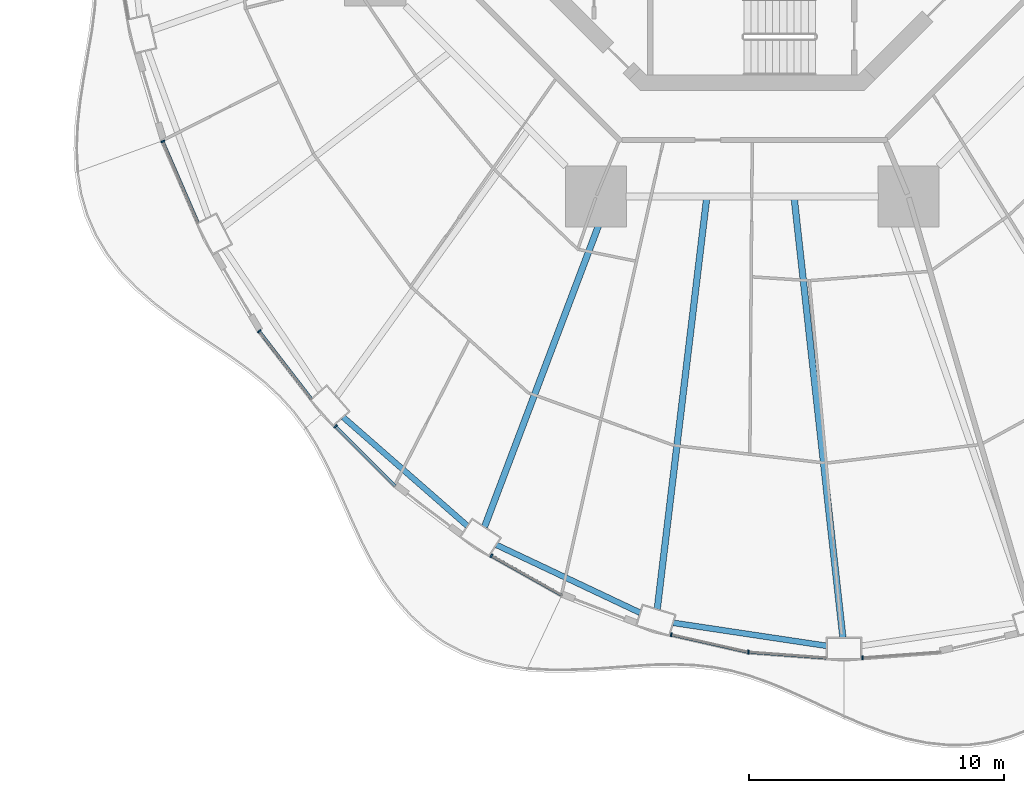
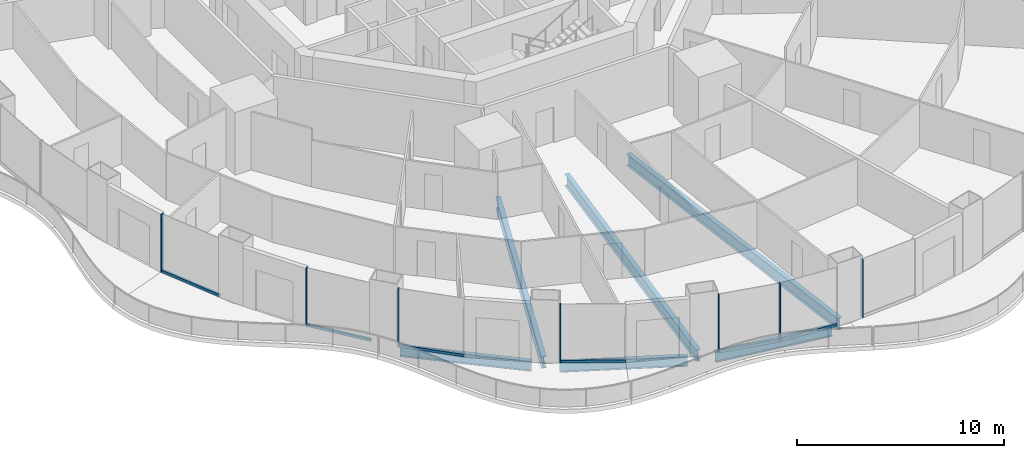
# One storey, part 2 of 22: 13 members, 6 beams, 7 elements without a shape of their own.
"""IFC4 building model written with IfcOpenShell, lengths in metres."""

from ifc_helpers import new_model, si_unit, direction, frame, origin, origin_2d, place, context, subcontext, project, spatial, rectangle, i_section, extrude, material, layer, layer_set, material_profile, profile_set, type_object, element, aggregate, save


model = new_model("IFC4")

# Units and contexts
model_context = context("Model", 3, precision=1e-05, world=origin(), true_north=direction((0.0, 1.0)))
body_context = subcontext(model_context, "Body", "Model", "MODEL_VIEW")
ifc_project = project(units=[si_unit("LENGTHUNIT", "METRE"), si_unit("AREAUNIT", "SQUARE_METRE"), si_unit("VOLUMEUNIT", "CUBIC_METRE"), si_unit("PLANEANGLEUNIT", "RADIAN"), si_unit("MASSUNIT", "GRAM", prefix="KILO")], contexts=[model_context])

# Site, building, storey
site_placement = place(None, origin())
site = spatial("IfcSite", under=ifc_project, at=site_placement, CompositionType="ELEMENT")
building_placement = place(site_placement, origin())
building = spatial("IfcBuilding", under=site, at=building_placement, Name="Nagisa Residences", CompositionType="ELEMENT")
storey_placement = place(building_placement, frame((0.0, 0.0, 38.10009765625)))
storey = spatial("IfcBuildingStorey", under=building, at=storey_placement, Name="L08", CompositionType="ELEMENT", Elevation=38.10009765625)

# Curtain wall, member
ifc_material_1 = material(Name="Concrete-coloured aluminium curtain wall system", Category="concrete")
ifc_layer = layer(ifc_material_1, 0.159912109375)
ifc_layer_set = layer_set([ifc_layer], Name="CW1 CURTAIN WALL")
curtain_wall_type = type_object("IfcCurtainWallType", Name="CW1 CURTAIN WALL", PredefinedType="NOTDEFINED", material=ifc_layer_set)
curtain_wall_1_placement = place(storey_placement, origin())
curtain_wall_1 = element("IfcCurtainWall", 1, at=curtain_wall_1_placement, inside=storey, type_object=curtain_wall_type, Name="cw:CW1:L08:27", PredefinedType="NOTDEFINED")
ifc_material_2 = material(Name="Concrete-coloured aluminium", Category="concrete")
ifc_material_profile_1 = material_profile(ifc_material_2, rectangle(XDim=0.159912109375, YDim=0.06005859375, at=origin_2d()), Name="CW1 MULLION 160x60")
ifc_profile_set_1 = profile_set([ifc_material_profile_1], Name="Concrete-coloured aluminium")
member_type_1 = type_object("IfcMemberType", Name="CW1 MULLION 160x60", PredefinedType="MULLION", material=ifc_profile_set_1)
member_1_placement = place(storey_placement, frame((-23.107177734375, -12.624267578125, 0.0), z_axis=(0.0, 0.0, 1.0), x_axis=(0.917543276295, 0.397635934147, 0.0)))
member_1 = element("IfcMember", 2, at=member_1_placement, type_object=member_type_1, Name="CW1 mullion", PredefinedType="MULLION", context=body_context, shape_type="SweptSolid", body=[
    extrude(rectangle(XDim=0.159912109375, YDim=0.06005859375, at=origin_2d()), origin(), (0.0, 0.0, 1.0), 3.43994140625),
])

curtain_wall_2_placement = place(storey_placement, origin())
curtain_wall_2 = element("IfcCurtainWall", 3, at=curtain_wall_2_placement, inside=storey, type_object=curtain_wall_type, Name="cw:CW1:L08:29", PredefinedType="NOTDEFINED")
member_2_placement = place(storey_placement, frame((-19.32568359375, -20.06396484375, 0.0), z_axis=(0.0, 0.0, 1.0), x_axis=(0.792070340816, 0.610429828235, 0.0)))
member_2 = element("IfcMember", 4, at=member_2_placement, type_object=member_type_1, Name="CW1 mullion", PredefinedType="MULLION", context=body_context, shape_type="SweptSolid", body=[
    extrude(rectangle(XDim=0.159912109375, YDim=0.06005859375, at=origin_2d()), origin(), (0.0, 0.0, 1.0), 3.43994140625),
])

curtain_wall_3_placement = place(storey_placement, origin())
curtain_wall_3 = element("IfcCurtainWall", 5, at=curtain_wall_3_placement, inside=storey, type_object=curtain_wall_type, Name="cw:CW1:L08:30", PredefinedType="NOTDEFINED")
member_3_placement = place(storey_placement, frame((-16.332763671875, -23.79345703125, 0.0), z_axis=(0.0, 0.0, 1.0), x_axis=(0.706376885714, 0.707835924016, 0.0)))
member_3 = element("IfcMember", 6, at=member_3_placement, type_object=member_type_1, Name="CW1 mullion", PredefinedType="MULLION", context=body_context, shape_type="SweptSolid", body=[
    extrude(rectangle(XDim=0.159912109375, YDim=0.06005859375, at=origin_2d()), origin(), (0.0, 0.0, 1.0), 3.43994140625),
])

curtain_wall_4_placement = place(storey_placement, origin())
curtain_wall_4 = element("IfcCurtainWall", 7, at=curtain_wall_4_placement, inside=storey, type_object=curtain_wall_type, Name="cw:CW1:L08:32", PredefinedType="NOTDEFINED")
member_4_placement = place(storey_placement, frame((-10.22412109375, -28.8662109375, 0.0), z_axis=(0.0, 0.0, 1.0), x_axis=(0.489376918501, 0.872072377523, 0.0)))
member_4 = element("IfcMember", 8, at=member_4_placement, type_object=member_type_1, Name="CW1 mullion", PredefinedType="MULLION", context=body_context, shape_type="SweptSolid", body=[
    extrude(rectangle(XDim=0.159912109375, YDim=0.06005859375, at=origin_2d()), origin(), (0.0, 0.0, 1.0), 3.43994140625),
])

curtain_wall_5_placement = place(storey_placement, origin())
curtain_wall_5 = element("IfcCurtainWall", 9, at=curtain_wall_5_placement, inside=storey, type_object=curtain_wall_type, Name="cw:CW1:L08:34", PredefinedType="NOTDEFINED")
member_5_placement = place(storey_placement, frame((-3.176025390625, -31.958740234375, 0.0), z_axis=(0.0, 0.0, 1.0), x_axis=(0.2207639201, 0.975327274089, 0.0)))
member_5 = element("IfcMember", 10, at=member_5_placement, type_object=member_type_1, Name="CW1 mullion", PredefinedType="MULLION", context=body_context, shape_type="SweptSolid", body=[
    extrude(rectangle(XDim=0.159912109375, YDim=0.06005859375, at=origin_2d()), origin(), (0.0, 0.0, 1.0), 3.43994140625),
])

curtain_wall_6_placement = place(storey_placement, origin())
curtain_wall_6 = element("IfcCurtainWall", 11, at=curtain_wall_6_placement, inside=storey, type_object=curtain_wall_type, Name="cw:CW1:L08:35", PredefinedType="NOTDEFINED")
member_6_placement = place(storey_placement, frame((-0.1494140625, -32.64013671875, 0.0), z_axis=(0.0, 0.0, 1.0), x_axis=(0.074377355493, 0.997230168512, 0.0)))
member_6 = element("IfcMember", 12, at=member_6_placement, type_object=member_type_1, Name="CW1 mullion", PredefinedType="MULLION", context=body_context, shape_type="SweptSolid", body=[
    extrude(rectangle(XDim=0.159912109375, YDim=0.06005859375, at=origin_2d()), origin(), (0.0, 0.0, 1.0), 3.43994140625),
])

curtain_wall_7_placement = place(storey_placement, origin())
curtain_wall_7 = element("IfcCurtainWall", 13, at=curtain_wall_7_placement, inside=storey, type_object=curtain_wall_type, Name="cw:CW1:L08:36", PredefinedType="NOTDEFINED")
member_7_placement = place(storey_placement, frame((4.322021484375, -32.865966796875, 0.0), z_axis=(0.0, 0.0, 1.0), x_axis=(-0.074377355493, 0.997230168512, 0.0)))
member_7 = element("IfcMember", 14, at=member_7_placement, type_object=member_type_1, Name="CW1 mullion", PredefinedType="MULLION", context=body_context, shape_type="SweptSolid", body=[
    extrude(rectangle(XDim=0.159912109375, YDim=0.06005859375, at=origin_2d()), origin(), (0.0, 0.0, 1.0), 3.43994140625),
])
aggregate(curtain_wall_7, [member_7])

# Member
ifc_material_3 = material(Name="Concrete-coloured aluminium", Category="concrete")
ifc_material_profile_2 = material_profile(ifc_material_3, rectangle(XDim=0.1201171875, YDim=0.14990234375, at=origin_2d()), Name="CW1 TRANSOM 120x150")
ifc_profile_set_2 = profile_set([ifc_material_profile_2], Name="Concrete-coloured aluminium")
member_type_2 = type_object("IfcMemberType", Name="CW1 TRANSOM 120x150", PredefinedType="USERDEFINED", material=ifc_profile_set_2)
member_8_placement = place(storey_placement, frame((-23.119140625, -12.5966796875, 0.074951171875), z_axis=(0.397624958345, -0.917548032803, 0.0), x_axis=(0.917548032803, 0.397624958345, 0.0)))
member_8 = element("IfcMember", 15, at=member_8_placement, type_object=member_type_2, Name="CW1 transom", ObjectType="TRANSOM", PredefinedType="USERDEFINED", context=body_context, shape_type="SweptSolid", body=[
    extrude(rectangle(XDim=0.1201171875, YDim=0.14990234375, at=origin_2d()), origin(), (0.0, 0.0, 1.0), 3.51953125),
])

aggregate(curtain_wall_1, [member_1, member_8])

member_9_placement = place(storey_placement, frame((-19.343994140625, -20.040283203125, 0.074951171875), z_axis=(0.610457147657, -0.792049285635, 0.0), x_axis=(0.792049285635, 0.610457147657, 0.0)))
member_9 = element("IfcMember", 16, at=member_9_placement, type_object=member_type_2, Name="CW1 transom", ObjectType="TRANSOM", PredefinedType="USERDEFINED", context=body_context, shape_type="SweptSolid", body=[
    extrude(rectangle(XDim=0.1201171875, YDim=0.14990234375, at=origin_2d()), origin(), (0.0, 0.0, 1.0), 3.3974609375),
])

aggregate(curtain_wall_2, [member_2, member_9])

member_10_placement = place(storey_placement, frame((-16.35400390625, -23.7724609375, 0.074951171875), z_axis=(0.707839761606, -0.706373040177, 0.0), x_axis=(0.706373040177, 0.707839761606, 0.0)))
member_10 = element("IfcMember", 17, at=member_10_placement, type_object=member_type_2, Name="CW1 transom", ObjectType="TRANSOM", PredefinedType="USERDEFINED", context=body_context, shape_type="SweptSolid", body=[
    extrude(rectangle(XDim=0.1201171875, YDim=0.14990234375, at=origin_2d()), origin(), (0.0, 0.0, 1.0), 3.3291015625),
])

aggregate(curtain_wall_3, [member_3, member_10])

member_11_placement = place(storey_placement, frame((-10.25048828125, -28.8515625, 0.074951171875), z_axis=(0.872070011948, -0.489381133946, 0.0), x_axis=(0.489381133946, 0.872070011948, 0.0)))
member_11 = element("IfcMember", 18, at=member_11_placement, type_object=member_type_2, Name="CW1 transom", ObjectType="TRANSOM", PredefinedType="USERDEFINED", context=body_context, shape_type="SweptSolid", body=[
    extrude(rectangle(XDim=0.1201171875, YDim=0.14990234375, at=origin_2d()), origin(), (0.0, 0.0, 1.0), 3.201171875),
])

aggregate(curtain_wall_4, [member_4, member_11])

member_12_placement = place(storey_placement, frame((-3.205322265625, -31.9521484375, 0.074951171875), z_axis=(0.97533495413, -0.220729987208, 0.0), x_axis=(0.220729987208, 0.97533495413, 0.0)))
member_12 = element("IfcMember", 19, at=member_12_placement, type_object=member_type_2, Name="CW1 transom", ObjectType="TRANSOM", PredefinedType="USERDEFINED", context=body_context, shape_type="SweptSolid", body=[
    extrude(rectangle(XDim=0.1201171875, YDim=0.14990234375, at=origin_2d()), origin(), (0.0, 0.0, 1.0), 3.11474609375),
])

aggregate(curtain_wall_5, [member_5, member_12])

member_13_placement = place(storey_placement, frame((-0.17919921875, -32.637939453125, 0.074951171875), z_axis=(0.997230834878, -0.074368420505, 0.0), x_axis=(0.074368420505, 0.997230834878, 0.0)))
member_13 = element("IfcMember", 20, at=member_13_placement, type_object=member_type_2, Name="CW1 transom", ObjectType="TRANSOM", PredefinedType="USERDEFINED", context=body_context, shape_type="SweptSolid", body=[
    extrude(rectangle(XDim=0.1201171875, YDim=0.14990234375, at=origin_2d()), origin(), (0.0, 0.0, 1.0), 3.095703125),
])

aggregate(curtain_wall_6, [member_6, member_13])

# Beams
ifc_material_4 = material(Name="Steel ASTM A572 Gr 50", Category="steel")
ifc_material_profile_3 = material_profile(ifc_material_4, i_section(OverallWidth=0.22802734375, OverallDepth=0.60302734375, WebThickness=0.010498046875, FlangeThickness=0.014892578125, at=origin_2d()), Name="W610x101")
ifc_profile_set_3 = profile_set([ifc_material_profile_3], Name="Steel ASTM A572 Gr 50")
beam_type_1 = type_object("IfcBeamType", Name="Perimeter ring beam W610x101", PredefinedType="BEAM", material=ifc_profile_set_3)
beam_1_placement = place(storey_placement, frame((-16.0361328125, -23.432861328125, -0.5615234375), z_axis=(0.752574357292, -0.658507279191, 0.0), x_axis=(0.658507279191, 0.752574357292, 0.0)))
element("IfcBeam", 21, at=beam_1_placement, inside=storey, type_object=beam_type_1, Name="beam:L08:pb16", PredefinedType="BEAM", context=body_context, shape_type="SweptSolid", body=[
    extrude(i_section(OverallWidth=0.22802734375, OverallDepth=0.60302734375, WebThickness=0.010498046875, FlangeThickness=0.014892578125, at=origin_2d()), origin(), (0.0, 0.0, 1.0), 6.47021484375),
])
beam_2_placement = place(storey_placement, frame((-10.02880859375, -28.439208984375, -0.5615234375), z_axis=(0.904208275867, -0.427091786216, 0.0), x_axis=(0.427091786216, 0.904208275867, 0.0)))
element("IfcBeam", 22, at=beam_2_placement, inside=storey, type_object=beam_type_1, Name="beam:L08:pb17", PredefinedType="BEAM", context=body_context, shape_type="SweptSolid", body=[
    extrude(i_section(OverallWidth=0.22802734375, OverallDepth=0.60302734375, WebThickness=0.010498046875, FlangeThickness=0.014892578125, at=origin_2d()), origin(), (0.0, 0.0, 1.0), 6.227294921875),
])
beam_3_placement = place(storey_placement, frame((-3.096435546875, -31.49462890625, -0.5615234375), z_axis=(0.988914559467, -0.14848566959, 0.0), x_axis=(0.14848566959, 0.988914559467, 0.0)))
element("IfcBeam", 23, at=beam_3_placement, inside=storey, type_object=beam_type_1, Name="beam:L08:pb18", PredefinedType="BEAM", context=body_context, shape_type="SweptSolid", body=[
    extrude(i_section(OverallWidth=0.22802734375, OverallDepth=0.60302734375, WebThickness=0.010498046875, FlangeThickness=0.014892578125, at=origin_2d()), origin(), (0.0, 0.0, 1.0), 6.08349609375),
])
ifc_material_5 = material(Name="Steel ASTM A572 Gr 50", Category="steel")
ifc_material_profile_4 = material_profile(ifc_material_5, i_section(OverallWidth=0.25390625, OverallDepth=0.68408203125, WebThickness=0.012451171875, FlangeThickness=0.018798828125, at=origin_2d()), Name="W690x140")
ifc_profile_set_4 = profile_set([ifc_material_profile_4], Name="Steel ASTM A572 Gr 50")
beam_type_2 = type_object("IfcBeamType", Name="Radial beam W690x140", PredefinedType="BEAM", material=ifc_profile_set_4)
beam_4_placement = place(storey_placement, frame((-10.493896484375, -27.7333984375, -0.60205078125), z_axis=(0.353887892206, 0.935287848606, 0.0), x_axis=(-0.935287848606, 0.353887892206, 0.0)))
element("IfcBeam", 24, at=beam_4_placement, inside=storey, type_object=beam_type_2, Name="beam:L08:rb17", PredefinedType="BEAM", context=body_context, shape_type="SweptSolid", body=[
    extrude(i_section(OverallWidth=0.25390625, OverallDepth=0.68408203125, WebThickness=0.012451171875, FlangeThickness=0.018798828125, at=origin_2d()), origin(), (0.0, 0.0, 1.0), 13.725830078125),
])
beam_5_placement = place(storey_placement, frame((-3.72412109375, -30.958740234375, -0.60205078125), z_axis=(0.119431411612, 0.992842453726, 0.0), x_axis=(-0.992842453726, 0.119431411612, 0.0)))
element("IfcBeam", 25, at=beam_5_placement, inside=storey, type_object=beam_type_2, Name="beam:L08:rb18", PredefinedType="BEAM", context=body_context, shape_type="SweptSolid", body=[
    extrude(i_section(OverallWidth=0.25390625, OverallDepth=0.68408203125, WebThickness=0.012451171875, FlangeThickness=0.018798828125, at=origin_2d()), origin(), (0.0, 0.0, 1.0), 16.1796875),
])
beam_6_placement = place(storey_placement, frame((3.55224609375, -32.06982421875, -0.60205078125), z_axis=(-0.110088818647, 0.993921753464, 0.0), x_axis=(-0.993921753464, -0.110088818647, 0.0)))
element("IfcBeam", 26, at=beam_6_placement, inside=storey, type_object=beam_type_2, Name="beam:L08:rb19", PredefinedType="BEAM", context=body_context, shape_type="SweptSolid", body=[
    extrude(i_section(OverallWidth=0.25390625, OverallDepth=0.68408203125, WebThickness=0.012451171875, FlangeThickness=0.018798828125, at=origin_2d()), origin(), (0.0, 0.0, 1.0), 17.280029296875),
])

save(model, "model.ifc")
